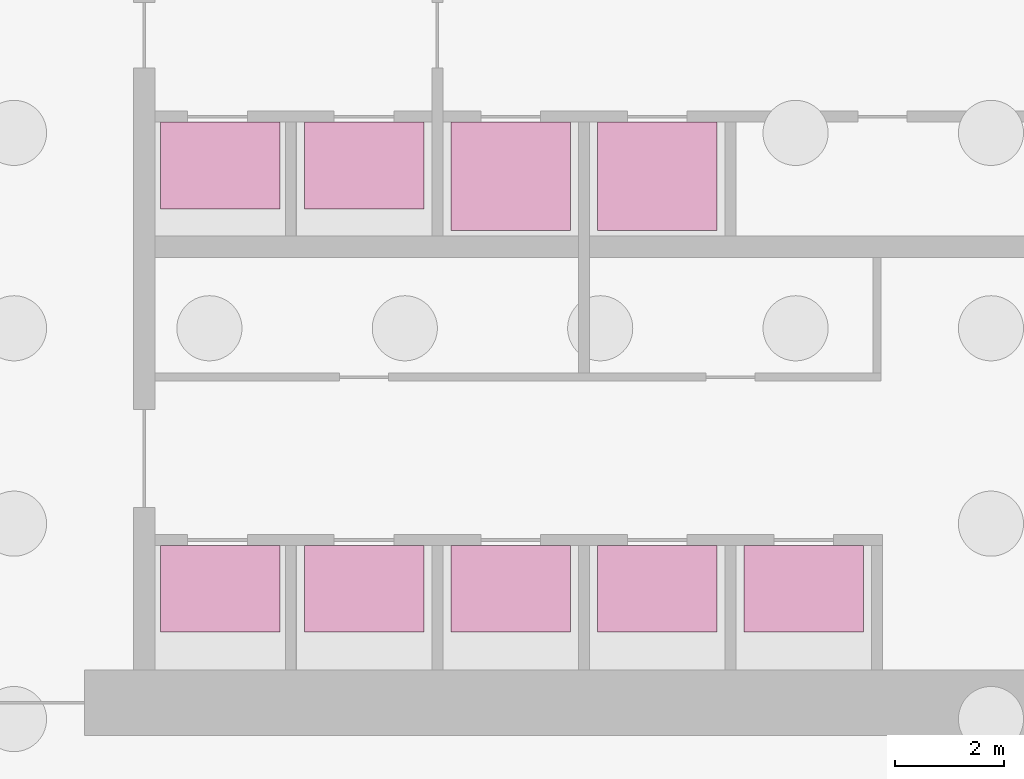
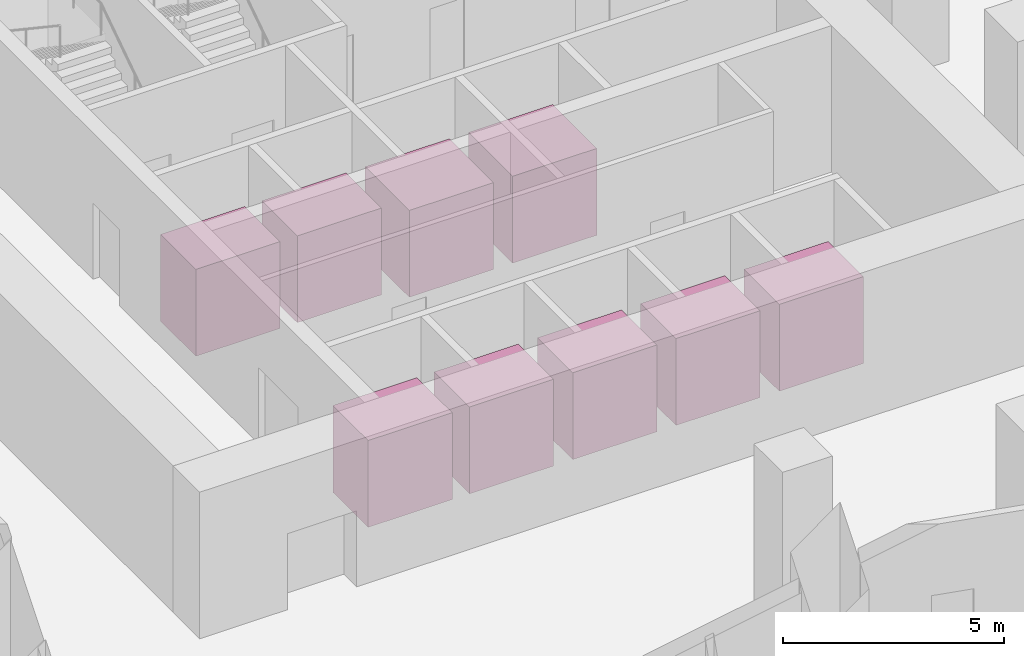
# One storey, part 15 of 15: 9 transport elements.
"""IFC4 building model written with IfcOpenShell, lengths in metres."""

from ifc_helpers import new_model, si_unit, direction, frame, origin, origin_2d, place, context, subcontext, project, spatial, rectangle, extrude, material, type_object, element, save


model = new_model("IFC4")

# Units and contexts
model_context = context("Model", 3, precision=1e-05, world=origin(), true_north=direction((0.0, 1.0)))
body_context = subcontext(model_context, "Body", "Model", "MODEL_VIEW")
ifc_project = project(units=[si_unit("LENGTHUNIT", "METRE"), si_unit("AREAUNIT", "SQUARE_METRE"), si_unit("VOLUMEUNIT", "CUBIC_METRE"), si_unit("PLANEANGLEUNIT", "RADIAN"), si_unit("MASSUNIT", "GRAM", prefix="KILO")], contexts=[model_context])

# Site, building, storey
site_placement = place(None, origin())
site = spatial("IfcSite", under=ifc_project, at=site_placement, CompositionType="ELEMENT")
building_placement = place(site_placement, origin())
building = spatial("IfcBuilding", under=site, at=building_placement, Name="Meshkara Civic Tower", CompositionType="ELEMENT")
storey_placement = place(building_placement, frame((0.0, 0.0, -9.0)))
storey = spatial("IfcBuildingStorey", under=building, at=storey_placement, Name="B2", CompositionType="ELEMENT", Elevation=-9.0)

# Transport elements
ifc_material_1 = material(Name="Stainless steel car lining", Category="steel")
transport_element_type_1 = type_object("IfcTransportElementType", Name="Lift car 2200x1600", PredefinedType="ELEVATOR", material=ifc_material_1)
for number, where, z_axis, x_axis, name in (
    (1, (14.60009765625, 16.800048828125, 0.0), (0.0, 0.0, 1.0), (1.0, 0.0, 0.0), "Low-rise passenger lift LP1"),
    (2, (17.25, 16.800048828125, 0.0), (0.0, 0.0, 1.0), (1.0, 0.0, 0.0), "Low-rise passenger lift LP2"),
    (3, (19.949951171875, 16.800048828125, 0.0), (0.0, 0.0, 1.0), (1.0, 0.0, 0.0), "Low-rise passenger lift LP3"),
    (4, (22.64990234375, 16.800048828125, 0.0), (0.0, 0.0, 1.0), (1.0, 0.0, 0.0), "Low-rise passenger lift LP4"),
    (5, (25.35009765625, 16.800048828125, 0.0), (0.0, 0.0, 1.0), (1.0, 0.0, 0.0), "Low-rise passenger lift LP5"),
    (6, (14.60009765625, 24.60009765625, 0.0), (0.0, 0.0, 1.0), (1.0, 0.0, 0.0), "Fire-fighting lift FF1"),
    (7, (17.25, 24.60009765625, 0.0), (0.0, 0.0, 1.0), (1.0, 0.0, 0.0), "Fire-fighting lift FF2"),
):
    element("IfcTransportElement", number, at=place(storey_placement, frame(where, z_axis=z_axis, x_axis=x_axis)), inside=storey, type_object=transport_element_type_1, Name=name, PredefinedType="ELEVATOR", context=body_context, shape_type="SweptSolid", body=[
        extrude(rectangle(XDim=2.199951171875, YDim=1.60009765625, at=origin_2d()), origin(), (0.0, 0.0, 1.0), 2.39990234375),
    ])
ifc_material_2 = material(Name="Stainless steel car lining", Category="steel")
transport_element_type_2 = type_object("IfcTransportElementType", Name="Lift car 2200x2000", PredefinedType="ELEVATOR", material=ifc_material_2)
for number, where, z_axis, x_axis, name in (
    (8, (19.949951171875, 24.39990234375, 0.0), (0.0, 0.0, 1.0), (1.0, 0.0, 0.0), "Service lift SV1"),
    (9, (22.64990234375, 24.39990234375, 0.0), (0.0, 0.0, 1.0), (1.0, 0.0, 0.0), "Service lift SV2"),
):
    element("IfcTransportElement", number, at=place(storey_placement, frame(where, z_axis=z_axis, x_axis=x_axis)), inside=storey, type_object=transport_element_type_2, Name=name, PredefinedType="ELEVATOR", context=body_context, shape_type="SweptSolid", body=[
        extrude(rectangle(XDim=2.199951171875, YDim=2.0, at=origin_2d()), origin(), (0.0, 0.0, 1.0), 2.39990234375),
    ])

save(model, "model.ifc")
